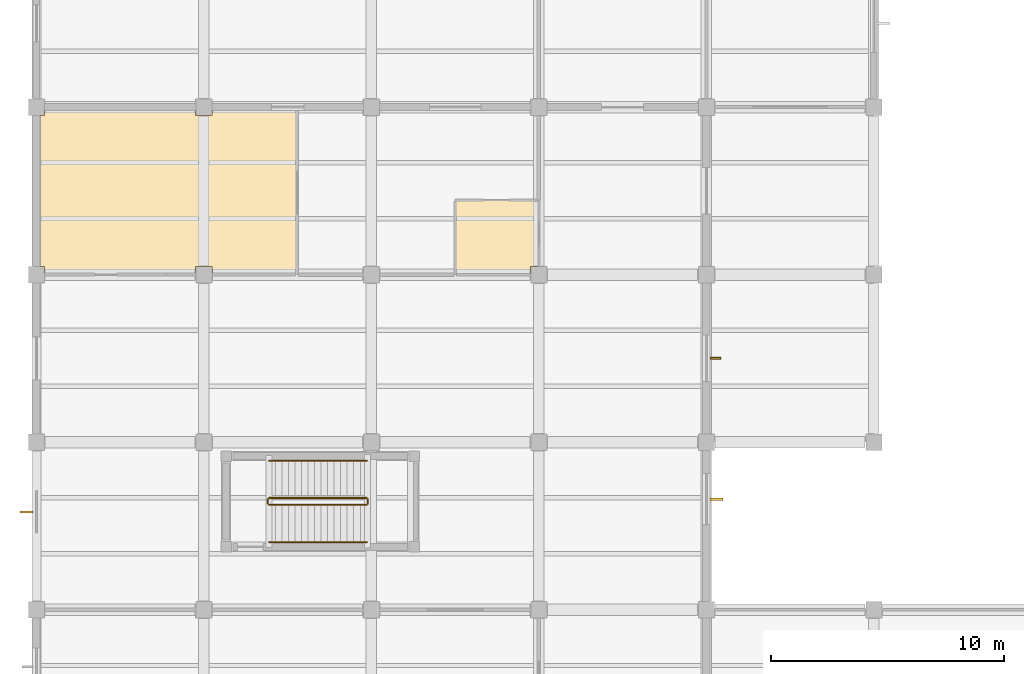
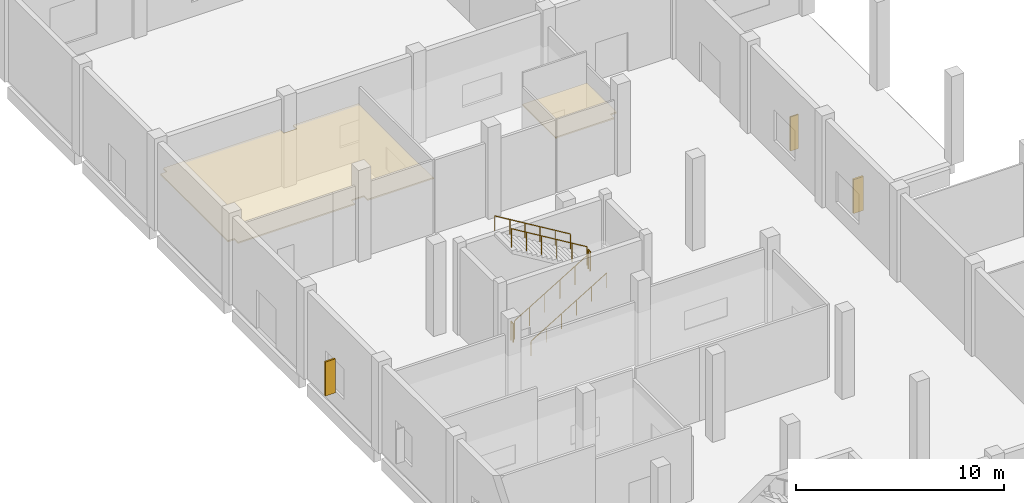
# One storey, part 34 of 46: 6 railings, 3 shading devices, 2 coverings.
"""IFC4 building model written with IfcOpenShell, lengths in metres."""

from ifc_helpers import new_model, si_unit, direction, frame, origin, origin_2d, place, context, subcontext, project, spatial, polyline, rectangle, circle, outline, extrude, material, layer, layer_set, type_object, element, save


model = new_model("IFC4")

# Units and contexts
model_context = context("Model", 3, precision=1e-05, world=origin(), true_north=direction((0.0, 1.0)))
body_context = subcontext(model_context, "Body", "Model", "MODEL_VIEW")
ifc_project = project(units=[si_unit("LENGTHUNIT", "METRE"), si_unit("AREAUNIT", "SQUARE_METRE"), si_unit("VOLUMEUNIT", "CUBIC_METRE"), si_unit("PLANEANGLEUNIT", "RADIAN"), si_unit("MASSUNIT", "GRAM", prefix="KILO"), si_unit("THERMODYNAMICTEMPERATUREUNIT", "KELVIN"), si_unit("POWERUNIT", "WATT")], contexts=[model_context])

# Site, building, storey
site_placement = place(None, origin())
site = spatial("IfcSite", under=ifc_project, at=site_placement, CompositionType="ELEMENT")
building_placement = place(site_placement, origin())
building = spatial("IfcBuilding", under=site, at=building_placement, Name="Kaldorven Railside Theatre", CompositionType="ELEMENT")
storey_placement = place(building_placement, origin())
storey = spatial("IfcBuildingStorey", under=building, at=storey_placement, Name="L00", CompositionType="ELEMENT", Elevation=0.0)

# Coverings
ifc_material_1 = material(Name="Acoustic hardwood timber", Category="wood")
ifc_layer = layer(ifc_material_1, 0.080078125, Name="Acoustic hardwood timber")
ifc_layer_set = layer_set([ifc_layer], Name="Acoustic hardwood timber")
covering_type = type_object("IfcCoveringType", Name="COV-CLG-02", PredefinedType="CEILING", material=ifc_layer_set)
covering_1_placement = place(storey_placement, frame((0.0, 0.0, 3.169921875)))
element("IfcCovering", 1, at=covering_1_placement, inside=storey, type_object=covering_type, Name="Studio Public WC Acoustic Ceiling 003", PredefinedType="CEILING", context=body_context, shape_type="SweptSolid", body=[
    extrude(outline(polyline([(19.199951171875, 62.39990234375), (19.199951171875, 55.199951171875), (15.552001953125, 55.199951171875), (15.552001953125, 55.552001953125), (14.847900390625, 55.552001953125), (14.847900390625, 55.199951171875), (8.35205078125, 55.199951171875), (8.35205078125, 55.552001953125), (8.0, 55.552001953125), (8.0, 62.048095703125), (8.35205078125, 62.048095703125), (8.35205078125, 62.39990234375), (14.847900390625, 62.39990234375), (14.847900390625, 62.048095703125), (15.552001953125, 62.048095703125), (15.552001953125, 62.39990234375), (19.199951171875, 62.39990234375)])), origin(), (0.0, 0.0, 1.0), 0.080078125),
])
covering_2_placement = place(storey_placement, frame((0.0, 0.0, 3.169921875)))
element("IfcCovering", 2, at=covering_2_placement, inside=storey, type_object=covering_type, Name="Studio Accessible WC Acoustic Ceiling 004", PredefinedType="CEILING", context=body_context, shape_type="SweptSolid", body=[
    extrude(outline(polyline([(26.0, 55.199951171875), (26.0, 58.39990234375), (29.60009765625, 58.39990234375), (29.60009765625, 55.552001953125), (29.248046875, 55.552001953125), (29.248046875, 55.199951171875), (26.0, 55.199951171875)])), origin(), (0.0, 0.0, 1.0), 0.080078125),
])

# Railings
ifc_material_2 = material(Name="Steel S355", Category="steel")
railing_type_1 = type_object("IfcRailingType", Name="RLG-STG-1100", PredefinedType="BALUSTRADE", material=ifc_material_2)
railing_1_placement = place(storey_placement, frame((18.0, 45.300048828125, 0.168701171875)))
element("IfcRailing", 3, at=railing_1_placement, inside=storey, type_object=railing_type_1, Name="L00 ST-02 stair guard 1", PredefinedType="BALUSTRADE", context=body_context, shape_type="SweptSolid", body=[
    extrude(circle(Radius=0.02392578125, at=origin_2d()), frame((0.0, 0.0, 1.09619140625), z_axis=(0.856476492594, 0.0, 0.516186030065), x_axis=(0.0, 1.0, 0.0)), (0.0, 0.0, 1.0), 4.90380859375),
    extrude(circle(Radius=0.02099609375, at=origin_2d()), origin(), (0.0, 0.0, 1.0), 1.072021484375),
    extrude(circle(Radius=0.02099609375, at=origin_2d()), frame((0.840087890625, 0.0, 0.50634765625)), (0.0, 0.0, 1.0), 1.072021484375),
    extrude(circle(Radius=0.02099609375, at=origin_2d()), frame((1.679931640625, 0.0, 1.012451171875)), (0.0, 0.0, 1.0), 1.072021484375),
    extrude(circle(Radius=0.02099609375, at=origin_2d()), frame((2.52001953125, 0.0, 1.518798828125)), (0.0, 0.0, 1.0), 1.072021484375),
    extrude(circle(Radius=0.02099609375, at=origin_2d()), frame((3.35986328125, 0.0, 2.02490234375)), (0.0, 0.0, 1.0), 1.072021484375),
    extrude(circle(Radius=0.02099609375, at=origin_2d()), frame((4.199951171875, 0.0, 2.53125)), (0.0, 0.0, 1.0), 1.072021484375),
])
railing_2_placement = place(storey_placement, frame((22.25, 45.35009765625, 2.699951171875)))
element("IfcRailing", 4, at=railing_2_placement, inside=storey, type_object=railing_type_1, Name="L00 ST-02 stair guard 2", PredefinedType="BALUSTRADE", context=body_context, shape_type="SweptSolid", body=[
    extrude(circle(Radius=0.02392578125, at=origin_2d()), frame((0.0, 0.0, 1.09619140625), z_axis=(0.0, 1.0, 0.0), x_axis=(-1.0, 0.0, 0.0)), (0.0, 0.0, 1.0), 0.199951171875),
    extrude(circle(Radius=0.02099609375, at=origin_2d()), origin(), (0.0, 0.0, 1.0), 1.072021484375),
    extrude(circle(Radius=0.02099609375, at=origin_2d()), frame((0.0, 0.199951171875, 0.0)), (0.0, 0.0, 1.0), 1.072021484375),
])
railing_3_placement = place(storey_placement, frame((22.199951171875, 45.60009765625, 2.86865234375)))
element("IfcRailing", 5, at=railing_3_placement, inside=storey, type_object=railing_type_1, Name="L00 ST-02 stair guard 3", PredefinedType="BALUSTRADE", context=body_context, shape_type="SweptSolid", body=[
    extrude(circle(Radius=0.02392578125, at=origin_2d()), frame((0.0, 0.0, 1.09619140625), z_axis=(-0.856476492594, 0.0, 0.516186030065), x_axis=(0.0, -1.0, 0.0)), (0.0, 0.0, 1.0), 4.90380859375),
    extrude(circle(Radius=0.02099609375, at=origin_2d()), origin(), (0.0, 0.0, 1.0), 1.072021484375),
    extrude(circle(Radius=0.02099609375, at=origin_2d()), frame((-0.840087890625, 0.0, 0.50634765625)), (0.0, 0.0, 1.0), 1.072021484375),
    extrude(circle(Radius=0.02099609375, at=origin_2d()), frame((-1.679931640625, 0.0, 1.012451171875)), (0.0, 0.0, 1.0), 1.072021484375),
    extrude(circle(Radius=0.02099609375, at=origin_2d()), frame((-2.52001953125, 0.0, 1.518798828125)), (0.0, 0.0, 1.0), 1.072021484375),
    extrude(circle(Radius=0.02099609375, at=origin_2d()), frame((-3.35986328125, 0.0, 2.02490234375)), (0.0, 0.0, 1.0), 1.072021484375),
    extrude(circle(Radius=0.02099609375, at=origin_2d()), frame((-4.199951171875, 0.0, 2.53125)), (0.0, 0.0, 1.0), 1.072021484375),
])
railing_4_placement = place(storey_placement, frame((17.949951171875, 45.35009765625, 0.0)))
element("IfcRailing", 6, at=railing_4_placement, inside=storey, type_object=railing_type_1, Name="L00 ST-02 stair guard 4", PredefinedType="BALUSTRADE", context=body_context, shape_type="SweptSolid", body=[
    extrude(circle(Radius=0.02392578125, at=origin_2d()), frame((0.0, 0.0, 1.09619140625), z_axis=(0.0, 1.0, 0.0), x_axis=(-1.0, 0.0, 0.0)), (0.0, 0.0, 1.0), 0.199951171875),
    extrude(circle(Radius=0.02099609375, at=origin_2d()), origin(), (0.0, 0.0, 1.0), 1.072021484375),
    extrude(circle(Radius=0.02099609375, at=origin_2d()), frame((0.0, 0.199951171875, 0.0)), (0.0, 0.0, 1.0), 1.072021484375),
])
railing_type_2 = type_object("IfcRailingType", Name="RLG-STH-900", PredefinedType="HANDRAIL", material=ifc_material_2)
railing_5_placement = place(storey_placement, frame((18.0, 43.699951171875, 0.168701171875)))
element("IfcRailing", 7, at=railing_5_placement, inside=storey, type_object=railing_type_2, Name="L00 ST-02 stair handrail 1", PredefinedType="HANDRAIL", context=body_context, shape_type="SweptSolid", body=[
    extrude(circle(Radius=0.02392578125, at=origin_2d()), frame((0.0, 0.0, 0.8759765625), z_axis=(0.856476492594, 0.0, 0.516186030065), x_axis=(0.0, 1.0, 0.0)), (0.0, 0.0, 1.0), 4.90380859375),
    extrude(circle(Radius=0.02099609375, at=origin_2d()), origin(), (0.0, 0.0, 1.0), 0.851806640625),
    extrude(circle(Radius=0.02099609375, at=origin_2d()), frame((0.840087890625, 0.0, 0.50634765625)), (0.0, 0.0, 1.0), 0.851806640625),
    extrude(circle(Radius=0.02099609375, at=origin_2d()), frame((1.679931640625, 0.0, 1.012451171875)), (0.0, 0.0, 1.0), 0.851806640625),
    extrude(circle(Radius=0.02099609375, at=origin_2d()), frame((2.52001953125, 0.0, 1.518798828125)), (0.0, 0.0, 1.0), 0.851806640625),
    extrude(circle(Radius=0.02099609375, at=origin_2d()), frame((3.35986328125, 0.0, 2.02490234375)), (0.0, 0.0, 1.0), 0.851806640625),
    extrude(circle(Radius=0.02099609375, at=origin_2d()), frame((4.199951171875, 0.0, 2.53125)), (0.0, 0.0, 1.0), 0.851806640625),
])
railing_6_placement = place(storey_placement, frame((22.199951171875, 47.199951171875, 2.86865234375)))
element("IfcRailing", 8, at=railing_6_placement, inside=storey, type_object=railing_type_2, Name="L00 ST-02 stair handrail 2", PredefinedType="HANDRAIL", context=body_context, shape_type="SweptSolid", body=[
    extrude(circle(Radius=0.02392578125, at=origin_2d()), frame((0.0, 0.0, 0.8759765625), z_axis=(-0.856476492594, 0.0, 0.516186030065), x_axis=(0.0, -1.0, 0.0)), (0.0, 0.0, 1.0), 4.90380859375),
    extrude(circle(Radius=0.02099609375, at=origin_2d()), origin(), (0.0, 0.0, 1.0), 0.851806640625),
    extrude(circle(Radius=0.02099609375, at=origin_2d()), frame((-0.840087890625, 0.0, 0.50634765625)), (0.0, 0.0, 1.0), 0.851806640625),
    extrude(circle(Radius=0.02099609375, at=origin_2d()), frame((-1.679931640625, 0.0, 1.012451171875)), (0.0, 0.0, 1.0), 0.851806640625),
    extrude(circle(Radius=0.02099609375, at=origin_2d()), frame((-2.52001953125, 0.0, 1.518798828125)), (0.0, 0.0, 1.0), 0.851806640625),
    extrude(circle(Radius=0.02099609375, at=origin_2d()), frame((-3.35986328125, 0.0, 2.02490234375)), (0.0, 0.0, 1.0), 0.851806640625),
    extrude(circle(Radius=0.02099609375, at=origin_2d()), frame((-4.199951171875, 0.0, 2.53125)), (0.0, 0.0, 1.0), 0.851806640625),
])

# Shading devices
ifc_material_3 = material(Name="Anodised bronze aluminium", Category="aluminium")
shading_device_type_1 = type_object("IfcShadingDeviceType", Name="SHD-FIN-01", PredefinedType="USERDEFINED", material=ifc_material_3)
shading_device_placement = place(storey_placement, frame((37.180908203125, 51.60009765625, 0.800048828125), z_axis=(0.0, 0.0, 1.0), x_axis=(0.0, -1.0, 0.0)))
element("IfcShadingDevice", 9, at=shading_device_placement, inside=storey, type_object=shading_device_type_1, Name="Anodised-Bronze Brise-Soleil Fin FIN-005", ObjectType="SUNSHADE", PredefinedType="USERDEFINED", context=body_context, shape_type="SweptSolid", body=[
    extrude(rectangle(XDim=0.080078125, YDim=0.449951171875, at=origin_2d()), origin(), (0.0, 0.0, 1.0), 2.0),
])
shading_device_type_2 = type_object("IfcShadingDeviceType", Name="SHD-FIN-02", PredefinedType="USERDEFINED", material=ifc_material_3)
for number, where, z_axis, x_axis, name in (
    (10, (7.569091796875, 45.0, 0.800048828125), (0.0, 0.0, 1.0), (0.0, 1.0, 0.0), "Anodised-Bronze Brise-Soleil Fin FIN-004"),
    (11, (37.23095703125, 45.550048828125, 0.800048828125), (0.0, 0.0, 1.0), (0.0, -1.0, 0.0), "Anodised-Bronze Brise-Soleil Fin FIN-006"),
):
    element("IfcShadingDevice", number, at=place(storey_placement, frame(where, z_axis=z_axis, x_axis=x_axis)), inside=storey, type_object=shading_device_type_2, Name=name, ObjectType="SUNSHADE", PredefinedType="USERDEFINED", context=body_context, shape_type="SweptSolid", body=[
        extrude(rectangle(XDim=0.10009765625, YDim=0.550048828125, at=origin_2d()), origin(), (0.0, 0.0, 1.0), 2.0),
    ])

save(model, "model.ifc")
